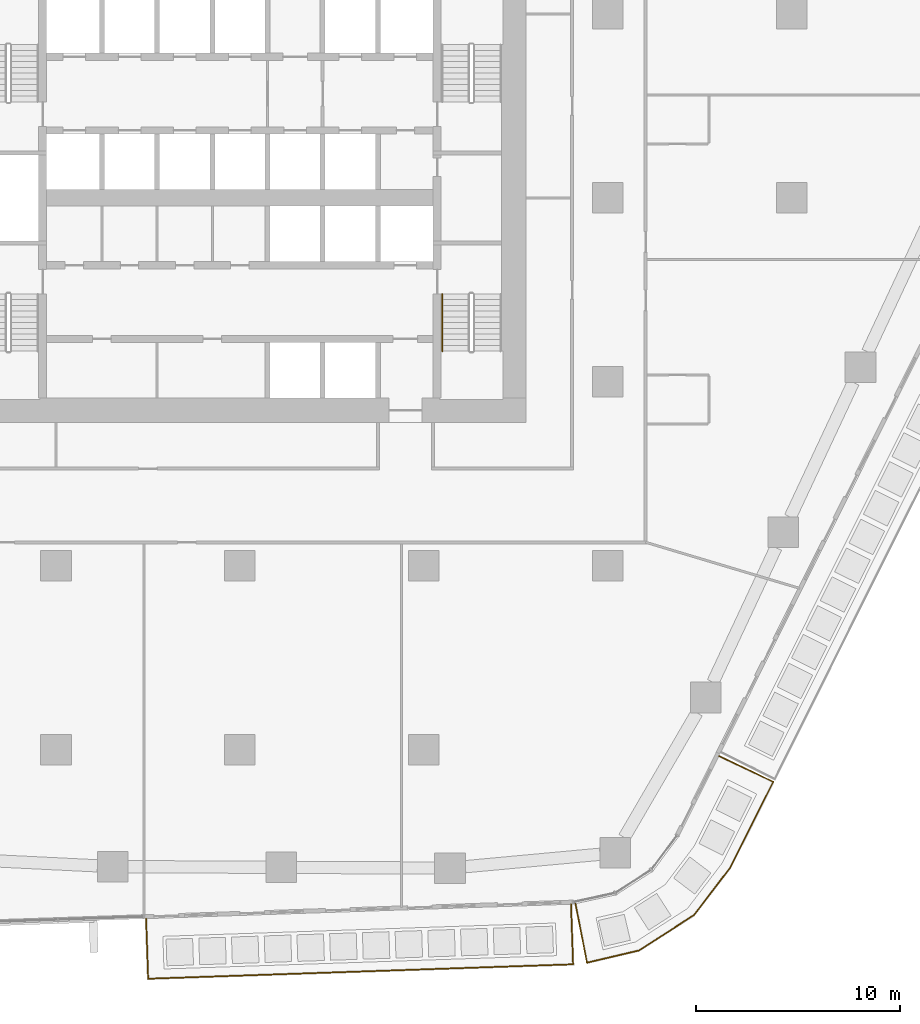
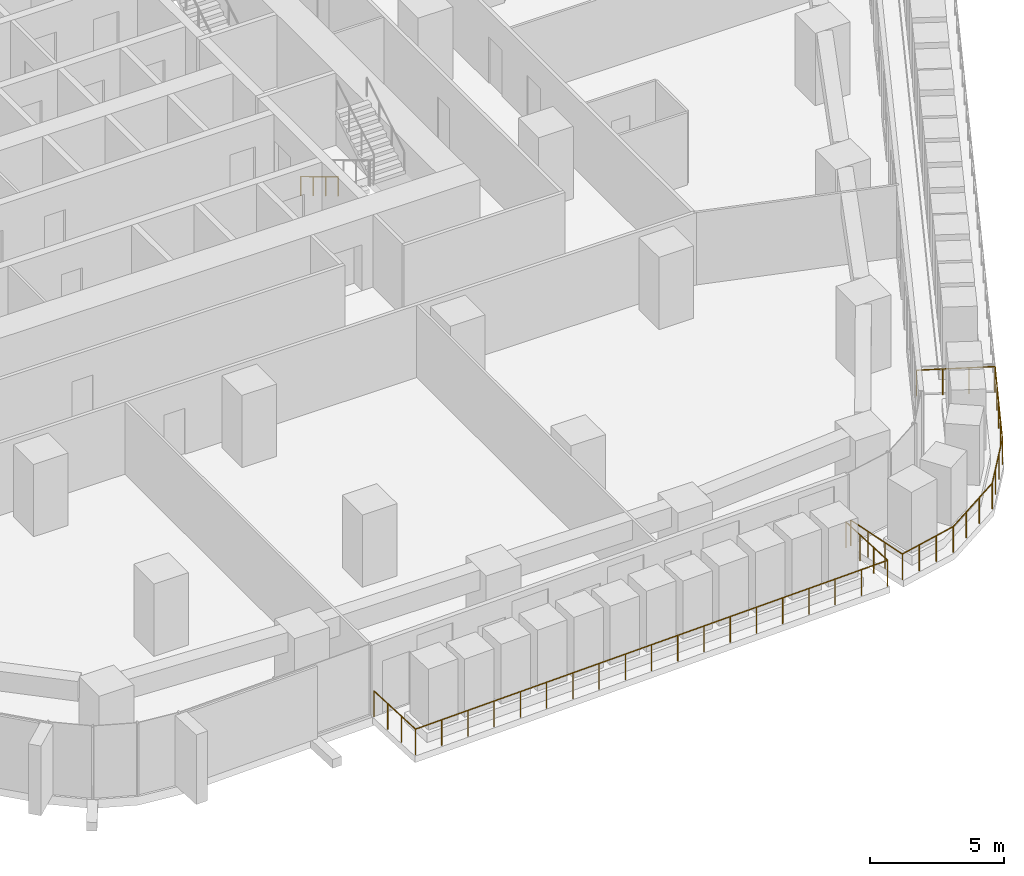
# One storey, part 21 of 26: 3 railings.
"""IFC4 building model written with IfcOpenShell, lengths in metres."""

from ifc_helpers import new_model, si_unit, direction, frame, origin, origin_2d, place, context, subcontext, project, spatial, circle, extrude, material, type_object, element, save


model = new_model("IFC4")

# Units and contexts
model_context = context("Model", 3, precision=1e-05, world=origin(), true_north=direction((0.0, 1.0)))
body_context = subcontext(model_context, "Body", "Model", "MODEL_VIEW")
ifc_project = project(units=[si_unit("LENGTHUNIT", "METRE"), si_unit("AREAUNIT", "SQUARE_METRE"), si_unit("VOLUMEUNIT", "CUBIC_METRE"), si_unit("PLANEANGLEUNIT", "RADIAN"), si_unit("MASSUNIT", "GRAM", prefix="KILO")], contexts=[model_context])

# Site, building, storey
site_placement = place(None, origin())
site = spatial("IfcSite", under=ifc_project, at=site_placement, CompositionType="ELEMENT")
building_placement = place(site_placement, origin())
building = spatial("IfcBuilding", under=site, at=building_placement, Name="Dongbaek Canopy Tower", CompositionType="ELEMENT")
storey_placement = place(building_placement, frame((0.0, 0.0, 69.89990234375)))
storey = spatial("IfcBuildingStorey", under=building, at=storey_placement, Name="L13", CompositionType="ELEMENT", Elevation=69.89990234375)

# Railings
ifc_material_1 = material(Name="Stainless steel", Category="steel")
railing_type_1 = type_object("IfcRailingType", Name="Balcony balustrade 1200", PredefinedType="BALUSTRADE", material=ifc_material_1)
railing_1_placement = place(storey_placement, frame((-4.589111328125, -35.263916015625, 0.0)))
element("IfcRailing", 1, at=railing_1_placement, inside=storey, type_object=railing_type_1, Name="Balcony guard L13 4", PredefinedType="BALUSTRADE", context=body_context, shape_type="SweptSolid", body=[
    extrude(circle(Radius=0.02392578125, at=origin_2d()), frame((0.0, 0.0, 1.17578125), z_axis=(0.033964605058, -0.999423036358, 0.0), x_axis=(0.999423036358, 0.033964605058, 0.0)), (0.0, 0.0, 1.0), 2.93994140625),
    extrude(circle(Radius=0.02392578125, at=origin_2d()), frame((0.099853515625, -2.938232421875, 1.17578125), z_axis=(0.999424133767, 0.033932297953, 0.0), x_axis=(-0.033932297953, 0.999424133767, 0.0)), (0.0, 0.0, 1.0), 20.800537109375),
    extrude(circle(Radius=0.02392578125, at=origin_2d()), frame((20.888427734375, -2.232421875, 1.17578125), z_axis=(-0.033964605058, 0.999423036358, 0.0), x_axis=(-0.999423036358, -0.033964605058, 0.0)), (0.0, 0.0, 1.0), 2.93994140625),
    extrude(circle(Radius=0.02099609375, at=origin_2d()), origin(), (0.0, 0.0, 1.0), 1.15185546875),
    extrude(circle(Radius=0.02099609375, at=origin_2d()), frame((0.033203125, -0.9794921875, 0.0)), (0.0, 0.0, 1.0), 1.15185546875),
    extrude(circle(Radius=0.02099609375, at=origin_2d()), frame((0.066650390625, -1.958740234375, 0.0)), (0.0, 0.0, 1.0), 1.15185546875),
    extrude(circle(Radius=0.02099609375, at=origin_2d()), frame((0.099853515625, -2.938232421875, 0.0)), (0.0, 0.0, 1.0), 1.15185546875),
    extrude(circle(Radius=0.02099609375, at=origin_2d()), frame((1.2548828125, -2.89892578125, 0.0)), (0.0, 0.0, 1.0), 1.15185546875),
    extrude(circle(Radius=0.02099609375, at=origin_2d()), frame((2.40966796875, -2.85986328125, 0.0)), (0.0, 0.0, 1.0), 1.15185546875),
    extrude(circle(Radius=0.02099609375, at=origin_2d()), frame((3.564697265625, -2.820556640625, 0.0)), (0.0, 0.0, 1.0), 1.15185546875),
    extrude(circle(Radius=0.02099609375, at=origin_2d()), frame((4.719482421875, -2.781494140625, 0.0)), (0.0, 0.0, 1.0), 1.15185546875),
    extrude(circle(Radius=0.02099609375, at=origin_2d()), frame((5.87451171875, -2.7421875, 0.0)), (0.0, 0.0, 1.0), 1.15185546875),
    extrude(circle(Radius=0.02099609375, at=origin_2d()), frame((7.029296875, -2.702880859375, 0.0)), (0.0, 0.0, 1.0), 1.15185546875),
    extrude(circle(Radius=0.02099609375, at=origin_2d()), frame((8.184326171875, -2.663818359375, 0.0)), (0.0, 0.0, 1.0), 1.15185546875),
    extrude(circle(Radius=0.02099609375, at=origin_2d()), frame((9.339111328125, -2.62451171875, 0.0)), (0.0, 0.0, 1.0), 1.15185546875),
    extrude(circle(Radius=0.02099609375, at=origin_2d()), frame((10.494140625, -2.58544921875, 0.0)), (0.0, 0.0, 1.0), 1.15185546875),
    extrude(circle(Radius=0.02099609375, at=origin_2d()), frame((11.649169921875, -2.546142578125, 0.0)), (0.0, 0.0, 1.0), 1.15185546875),
    extrude(circle(Radius=0.02099609375, at=origin_2d()), frame((12.803955078125, -2.5068359375, 0.0)), (0.0, 0.0, 1.0), 1.15185546875),
    extrude(circle(Radius=0.02099609375, at=origin_2d()), frame((13.958984375, -2.4677734375, 0.0)), (0.0, 0.0, 1.0), 1.15185546875),
    extrude(circle(Radius=0.02099609375, at=origin_2d()), frame((15.11376953125, -2.428466796875, 0.0)), (0.0, 0.0, 1.0), 1.15185546875),
    extrude(circle(Radius=0.02099609375, at=origin_2d()), frame((16.268798828125, -2.38916015625, 0.0)), (0.0, 0.0, 1.0), 1.15185546875),
    extrude(circle(Radius=0.02099609375, at=origin_2d()), frame((17.423583984375, -2.35009765625, 0.0)), (0.0, 0.0, 1.0), 1.15185546875),
    extrude(circle(Radius=0.02099609375, at=origin_2d()), frame((18.57861328125, -2.310791015625, 0.0)), (0.0, 0.0, 1.0), 1.15185546875),
    extrude(circle(Radius=0.02099609375, at=origin_2d()), frame((19.7333984375, -2.271728515625, 0.0)), (0.0, 0.0, 1.0), 1.15185546875),
    extrude(circle(Radius=0.02099609375, at=origin_2d()), frame((20.888427734375, -2.232421875, 0.0)), (0.0, 0.0, 1.0), 1.15185546875),
    extrude(circle(Radius=0.02099609375, at=origin_2d()), frame((20.855224609375, -1.2529296875, 0.0)), (0.0, 0.0, 1.0), 1.15185546875),
    extrude(circle(Radius=0.02099609375, at=origin_2d()), frame((20.82177734375, -0.273681640625, 0.0)), (0.0, 0.0, 1.0), 1.15185546875),
    extrude(circle(Radius=0.02099609375, at=origin_2d()), frame((20.78857421875, 0.705810546875, 0.0)), (0.0, 0.0, 1.0), 1.15185546875),
])
railing_2_placement = place(storey_placement, frame((16.4169921875, -34.53125, 0.0)))
element("IfcRailing", 2, at=railing_2_placement, inside=storey, type_object=railing_type_1, Name="Balcony guard L13 8", PredefinedType="BALUSTRADE", context=body_context, shape_type="SweptSolid", body=[
    extrude(circle(Radius=0.02392578125, at=origin_2d()), frame((0.0, 0.0, 1.17578125), z_axis=(0.191371856192, -0.981517606901, 0.0), x_axis=(0.981517606901, 0.191371856192, 0.0)), (0.0, 0.0, 1.0), 2.940673828125),
    extrude(circle(Radius=0.02392578125, at=origin_2d()), frame((0.562744140625, -2.88623046875, 1.17578125), z_axis=(0.973441692386, 0.228935081464, 0.0), x_axis=(-0.228935081464, 0.973441692386, 0.0)), (0.0, 0.0, 1.0), 2.610595703125),
    extrude(circle(Radius=0.02392578125, at=origin_2d()), frame((3.10400390625, -2.28857421875, 1.17578125), z_axis=(0.841367778645, 0.540463006188, 0.0), x_axis=(-0.540463006188, 0.841367778645, 0.0)), (0.0, 0.0, 1.0), 3.183837890625),
    extrude(circle(Radius=0.02392578125, at=origin_2d()), frame((5.78271484375, -0.56787109375, 1.17578125), z_axis=(0.608252688923, 0.79374345126, 0.0), x_axis=(-0.79374345126, 0.608252688923, 0.0)), (0.0, 0.0, 1.0), 2.92333984375),
    extrude(circle(Radius=0.02392578125, at=origin_2d()), frame((7.560791015625, 1.75244140625, 1.17578125), z_axis=(0.448663484014, 0.893700776609, 0.0), x_axis=(-0.893700776609, 0.448663484014, 0.0)), (0.0, 0.0, 1.0), 4.712890625),
    extrude(circle(Radius=0.02392578125, at=origin_2d()), frame((9.67529296875, 5.96435546875, 1.17578125), z_axis=(-0.903754742696, 0.428050657114, 0.0), x_axis=(-0.428050657114, -0.903754742696, 0.0)), (0.0, 0.0, 1.0), 2.940673828125),
    extrude(circle(Radius=0.02099609375, at=origin_2d()), origin(), (0.0, 0.0, 1.0), 1.15185546875),
    extrude(circle(Radius=0.02099609375, at=origin_2d()), frame((0.1875, -0.962158203125, 0.0)), (0.0, 0.0, 1.0), 1.15185546875),
    extrude(circle(Radius=0.02099609375, at=origin_2d()), frame((0.375244140625, -1.924072265625, 0.0)), (0.0, 0.0, 1.0), 1.15185546875),
    extrude(circle(Radius=0.02099609375, at=origin_2d()), frame((0.562744140625, -2.88623046875, 0.0)), (0.0, 0.0, 1.0), 1.15185546875),
    extrude(circle(Radius=0.02099609375, at=origin_2d()), frame((1.409912109375, -2.68701171875, 0.0)), (0.0, 0.0, 1.0), 1.15185546875),
    extrude(circle(Radius=0.02099609375, at=origin_2d()), frame((2.2568359375, -2.48779296875, 0.0)), (0.0, 0.0, 1.0), 1.15185546875),
    extrude(circle(Radius=0.02099609375, at=origin_2d()), frame((3.10400390625, -2.28857421875, 0.0)), (0.0, 0.0, 1.0), 1.15185546875),
    extrude(circle(Radius=0.02099609375, at=origin_2d()), frame((3.996826171875, -1.715087890625, 0.0)), (0.0, 0.0, 1.0), 1.15185546875),
    extrude(circle(Radius=0.02099609375, at=origin_2d()), frame((4.889892578125, -1.141357421875, 0.0)), (0.0, 0.0, 1.0), 1.15185546875),
    extrude(circle(Radius=0.02099609375, at=origin_2d()), frame((5.78271484375, -0.56787109375, 0.0)), (0.0, 0.0, 1.0), 1.15185546875),
    extrude(circle(Radius=0.02099609375, at=origin_2d()), frame((6.37548828125, 0.20556640625, 0.0)), (0.0, 0.0, 1.0), 1.15185546875),
    extrude(circle(Radius=0.02099609375, at=origin_2d()), frame((6.968017578125, 0.97900390625, 0.0)), (0.0, 0.0, 1.0), 1.15185546875),
    extrude(circle(Radius=0.02099609375, at=origin_2d()), frame((7.560791015625, 1.75244140625, 0.0)), (0.0, 0.0, 1.0), 1.15185546875),
    extrude(circle(Radius=0.02099609375, at=origin_2d()), frame((8.08935546875, 2.805419921875, 0.0)), (0.0, 0.0, 1.0), 1.15185546875),
    extrude(circle(Radius=0.02099609375, at=origin_2d()), frame((8.6181640625, 3.8583984375, 0.0)), (0.0, 0.0, 1.0), 1.15185546875),
    extrude(circle(Radius=0.02099609375, at=origin_2d()), frame((9.146728515625, 4.911376953125, 0.0)), (0.0, 0.0, 1.0), 1.15185546875),
    extrude(circle(Radius=0.02099609375, at=origin_2d()), frame((9.67529296875, 5.96435546875, 0.0)), (0.0, 0.0, 1.0), 1.15185546875),
    extrude(circle(Radius=0.02099609375, at=origin_2d()), frame((8.789306640625, 6.384033203125, 0.0)), (0.0, 0.0, 1.0), 1.15185546875),
    extrude(circle(Radius=0.02099609375, at=origin_2d()), frame((7.903564453125, 6.803466796875, 0.0)), (0.0, 0.0, 1.0), 1.15185546875),
    extrude(circle(Radius=0.02099609375, at=origin_2d()), frame((7.017578125, 7.22314453125, 0.0)), (0.0, 0.0, 1.0), 1.15185546875),
])
ifc_material_2 = material(Name="Stainless steel tube", Category="steel")
railing_type_2 = type_object("IfcRailingType", Name="Stair handrail 900", PredefinedType="HANDRAIL", material=ifc_material_2)
railing_3_placement = place(storey_placement, frame((9.89990234375, -4.699951171875, 0.168212890625)))
element("IfcRailing", 3, at=railing_3_placement, inside=storey, type_object=railing_type_2, Name="L13 ST-B stair handrail 1", PredefinedType="HANDRAIL", context=body_context, shape_type="SweptSolid", body=[
    extrude(circle(Radius=0.02392578125, at=origin_2d()), frame((0.0, 0.0, 0.8759765625), z_axis=(0.0, -0.857242210791, 0.514913383045), x_axis=(1.0, 0.0, 0.0)), (0.0, 0.0, 1.0), 3.266357421875),
    extrude(circle(Radius=0.02099609375, at=origin_2d()), origin(), (0.0, 0.0, 1.0), 0.851806640625),
    extrude(circle(Radius=0.02099609375, at=origin_2d()), frame((0.0, -0.933349609375, 0.560546875)), (0.0, 0.0, 1.0), 0.851806640625),
    extrude(circle(Radius=0.02099609375, at=origin_2d()), frame((0.0, -1.86669921875, 1.121337890625)), (0.0, 0.0, 1.0), 0.851806640625),
    extrude(circle(Radius=0.02099609375, at=origin_2d()), frame((0.0, -2.800048828125, 1.681884765625)), (0.0, 0.0, 1.0), 0.851806640625),
])

save(model, "model.ifc")
